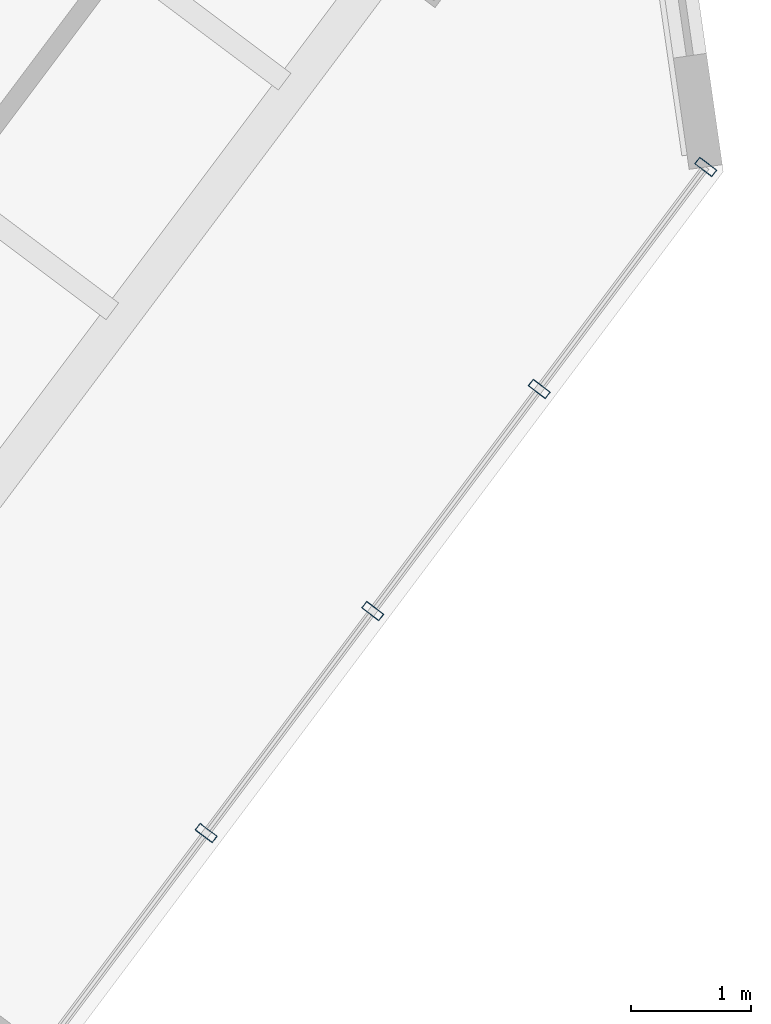
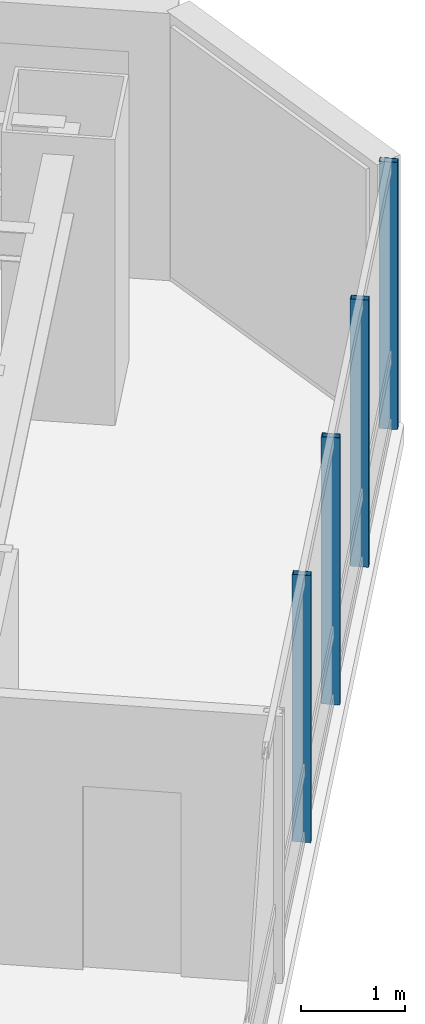
# One storey, part 25 of 38: 4 members, 1 element without a shape of its own.
"""IFC4 building model written with IfcOpenShell, lengths in metres."""

from ifc_helpers import new_model, si_unit, direction, frame, origin, origin_2d, place, context, subcontext, project, spatial, hollow_rectangle, extrude, material, layer, layer_set, material_profile, profile_set, type_object, element, aggregate, save


model = new_model("IFC4")

# Units and contexts
model_context = context("Model", 3, precision=1e-05, world=origin(), true_north=direction((0.0, 1.0)))
body_context = subcontext(model_context, "Body", "Model", "MODEL_VIEW")
ifc_project = project(units=[si_unit("LENGTHUNIT", "METRE"), si_unit("AREAUNIT", "SQUARE_METRE"), si_unit("VOLUMEUNIT", "CUBIC_METRE"), si_unit("PLANEANGLEUNIT", "RADIAN"), si_unit("MASSUNIT", "GRAM", prefix="KILO")], contexts=[model_context])

# Site, building, storey
site_placement = place(None, origin())
site = spatial("IfcSite", under=ifc_project, at=site_placement, CompositionType="ELEMENT")
building_placement = place(site_placement, origin())
building = spatial("IfcBuilding", under=site, at=building_placement, Name="Hatsunagi Terrace Concourse", CompositionType="ELEMENT")
storey_placement = place(building_placement, frame((0.0, 0.0, 63.39990234375)))
storey = spatial("IfcBuildingStorey", under=building, at=storey_placement, Name="L16", CompositionType="ELEMENT", Elevation=63.39990234375)

# Curtain wall, members
ifc_material_1 = material(Name="Anodised Aluminium Alloy 6063-T5", Category="aluminium")
ifc_layer = layer(ifc_material_1, 0.199951171875)
ifc_layer_set = layer_set([ifc_layer], Name="HotelFacade_CW02")
curtain_wall_type = type_object("IfcCurtainWallType", Name="HotelFacade_CW02", PredefinedType="NOTDEFINED", material=ifc_layer_set)
curtain_wall_placement = place(storey_placement, origin())
curtain_wall = element("IfcCurtainWall", 1, at=curtain_wall_placement, inside=storey, type_object=curtain_wall_type, Name="Unitised Curtain Wall CW-02 CW-L16-03", PredefinedType="NOTDEFINED")
ifc_material_2 = material(Name="Anodised Aluminium Alloy 6063-T5", Category="aluminium")
ifc_material_profile = material_profile(ifc_material_2, hollow_rectangle(XDim=0.070068359375, YDim=0.179931640625, WallThickness=0.00390625, at=origin_2d()), Name="ALU-MUL-180x70x4")
ifc_profile_set = profile_set([ifc_material_profile], Name="Anodised Aluminium Alloy 6063-T5")
member_type = type_object("IfcMemberType", Name="CurtainWallMullion_180x70", PredefinedType="MULLION", material=ifc_profile_set)
member_1_placement = place(storey_placement, frame((69.093017578125, 19.657958984375, 0.0), z_axis=(0.0, 0.0, 1.0), x_axis=(-0.599969314634, -0.800023013105, 0.0)))
member_1 = element("IfcMember", 2, at=member_1_placement, type_object=member_type, Name="Curtain Wall Mullion MUL-02", PredefinedType="MULLION", context=body_context, shape_type="SweptSolid", body=[
    extrude(hollow_rectangle(XDim=0.070068359375, YDim=0.179931640625, WallThickness=0.00390625, at=origin_2d()), origin(), (0.0, 0.0, 1.0), 3.130126953125),
])
member_2_placement = place(storey_placement, frame((67.700927734375, 17.802001953125, 0.0), z_axis=(0.0, 0.0, 1.0), x_axis=(-0.599969314634, -0.800023013105, 0.0)))
member_2 = element("IfcMember", 3, at=member_2_placement, type_object=member_type, Name="Curtain Wall Mullion MUL-02", PredefinedType="MULLION", context=body_context, shape_type="SweptSolid", body=[
    extrude(hollow_rectangle(XDim=0.070068359375, YDim=0.179931640625, WallThickness=0.00390625, at=origin_2d()), origin(), (0.0, 0.0, 1.0), 3.130126953125),
])
member_3_placement = place(storey_placement, frame((66.30908203125, 15.945068359375, 0.0), z_axis=(0.0, 0.0, 1.0), x_axis=(-0.599969314634, -0.800023013105, 0.0)))
member_3 = element("IfcMember", 4, at=member_3_placement, type_object=member_type, Name="Curtain Wall Mullion MUL-02", PredefinedType="MULLION", context=body_context, shape_type="SweptSolid", body=[
    extrude(hollow_rectangle(XDim=0.070068359375, YDim=0.179931640625, WallThickness=0.00390625, at=origin_2d()), origin(), (0.0, 0.0, 1.0), 3.130126953125),
])
member_4_placement = place(storey_placement, frame((64.916015625, 14.089111328125, 0.0), z_axis=(0.0, 0.0, 1.0), x_axis=(-0.599969314634, -0.800023013105, 0.0)))
member_4 = element("IfcMember", 5, at=member_4_placement, type_object=member_type, Name="Curtain Wall Mullion MUL-02", PredefinedType="MULLION", context=body_context, shape_type="SweptSolid", body=[
    extrude(hollow_rectangle(XDim=0.070068359375, YDim=0.179931640625, WallThickness=0.00390625, at=origin_2d()), origin(), (0.0, 0.0, 1.0), 3.130126953125),
])
aggregate(curtain_wall, [member_1, member_2, member_3, member_4])

save(model, "model.ifc")
